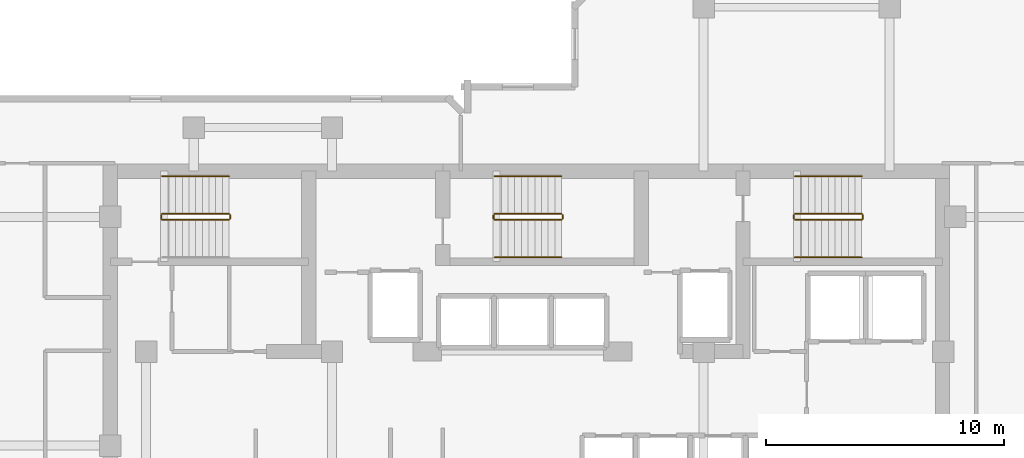
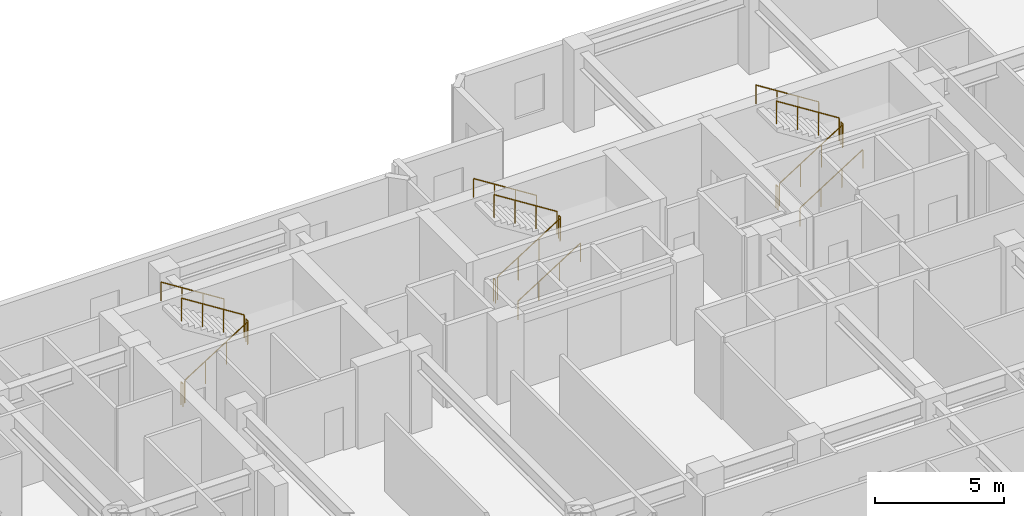
# One storey, part 11 of 11: 17 railings.
"""IFC4 building model written with IfcOpenShell, lengths in metres."""

import ifcopenshell
import ifcopenshell.guid

model = None  # the IFC model being written
_history = None  # IfcOwnerHistory: only IFC2X3 demands one
_inside = {}  # id of a spatial element -> (the spatial element, [elements in it])
_under = {}  # id of a project, library or spatial element -> (it, [spatial elements below it])
_declared = {}  # id of a project -> (the project, [libraries it declares])
_typed = {}  # id of a type object -> (the type object, [elements of that type])
_made_of = {}  # id of a material, layer set ... -> (it, [elements and type objects made of it])


def new_model(schema):
    """Start an empty IFC model of exactly this schema.

    Asked for "IFC4X3", IfcOpenShell would pick the latest addendum, in which some entities
    have other attributes; the version numbers below select the first issue.
    IFC2X3 requires an IfcOwnerHistory on every rooted entity: one is made here for all.
    """
    global model, _history
    if schema == "IFC4X3":
        model = ifcopenshell.file(schema_version=(4, 3, 0, 0))
    else:
        model = ifcopenshell.file(schema=schema)
    _inside.clear()
    _under.clear()
    _declared.clear()
    _typed.clear()
    _made_of.clear()
    _history = None
    if model.schema == "IFC2X3":
        org = make("IfcOrganization", Name="unknown")
        user = make(
            "IfcPersonAndOrganization",
            ThePerson=make("IfcPerson", FamilyName="unknown"),
            TheOrganization=org,
        )
        app = make(
            "IfcApplication",
            ApplicationDeveloper=org,
            Version="unknown",
            ApplicationFullName="unknown",
            ApplicationIdentifier="unknown",
        )
        _history = make(
            "IfcOwnerHistory",
            OwningUser=user,
            OwningApplication=app,
            ChangeAction="ADDED",
            CreationDate=0,
        )
    return model


def make(cls, **values):
    """One entity of the class cls with the attributes given. An attribute that is None is left unset."""
    return model.create_entity(
        cls, **{name: value for name, value in values.items() if value is not None}
    )


def rooted(cls, **values):
    """An entity with a GlobalId (a new one), such as an element, a storey or a relation."""
    return make(cls, GlobalId=ifcopenshell.guid.new(), OwnerHistory=_history, **values)


def si_unit(unit_type, name, prefix=None):
    """IfcSIUnit, for example si_unit("LENGTHUNIT", "METRE", prefix="MILLI")."""
    return make("IfcSIUnit", UnitType=unit_type, Prefix=prefix, Name=name)


def assignment(units):
    """IfcUnitAssignment: the units of a project."""
    return None if units is None else make("IfcUnitAssignment", Units=units)


def point(xyz):
    """IfcCartesianPoint."""
    return None if xyz is None else make("IfcCartesianPoint", Coordinates=xyz)


def direction(xyz):
    """IfcDirection."""
    return None if xyz is None else make("IfcDirection", DirectionRatios=xyz)


def frame(location, z_axis=None, x_axis=None):
    """IfcAxis2Placement3D, a coordinate frame: its origin and axes. An axis left out is left unset."""
    return make(
        "IfcAxis2Placement3D",
        Location=point(location),
        Axis=direction(z_axis),
        RefDirection=direction(x_axis),
    )


def frame_2d(location, x_axis=None):
    """IfcAxis2Placement2D, a coordinate frame in the plane: its origin and x axis."""
    return make(
        "IfcAxis2Placement2D", Location=point(location), RefDirection=direction(x_axis)
    )


def origin():
    """The frame at (0, 0, 0) with its axes left unset."""
    return frame((0.0, 0.0, 0.0))


def origin_2d():
    """The frame at (0, 0) in the plane with its x axis left unset."""
    return frame_2d((0.0, 0.0))


def place(relative_to, where):
    """IfcLocalPlacement: puts the frame where relative to a parent placement (None: the world)."""
    return make(
        "IfcLocalPlacement", PlacementRelTo=relative_to, RelativePlacement=where
    )


def context(
    kind, dimensions, precision=None, world=None, true_north=None, identifier=None
):
    """IfcGeometricRepresentationContext, for example the 3D "Model" context."""
    return make(
        "IfcGeometricRepresentationContext",
        ContextIdentifier=identifier,
        ContextType=kind,
        CoordinateSpaceDimension=dimensions,
        Precision=precision,
        WorldCoordinateSystem=world,
        TrueNorth=true_north,
    )


def subcontext(parent, identifier, kind, view, scale=None):
    """IfcGeometricRepresentationSubContext, for example "Body" below "Model"."""
    return make(
        "IfcGeometricRepresentationSubContext",
        ContextIdentifier=identifier,
        ContextType=kind,
        ParentContext=parent,
        TargetScale=scale,
        TargetView=view,
    )


def project(units=None, contexts=None):
    """IfcProject with its units and contexts."""
    return rooted(
        "IfcProject",
        Name="project",
        RepresentationContexts=contexts,
        UnitsInContext=assignment(units),
    )


def spatial(cls, under=None, at=None, **own):
    """A site, building, storey or space (cls), placed at a placement, below another one or the project."""
    s = rooted(cls, ObjectPlacement=at, **own)
    if under is not None:
        _under.setdefault(under.id(), (under, []))[1].append(s)
    return s


def profile(cls, at=None, kind="AREA", **sizes):
    """A parametric profile (cls). Its sizes go by their IFC names, for example OverallWidth=200.0."""
    return make(cls, ProfileType=kind, Position=at, **sizes)


def circle(**sizes):
    """IfcCircleProfileDef."""
    return profile("IfcCircleProfileDef", **sizes)


def extrude(swept, where, along, depth):
    """IfcExtrudedAreaSolid: the profile swept, set in the frame where, extruded along a direction by depth."""
    return make(
        "IfcExtrudedAreaSolid",
        SweptArea=swept,
        Position=where,
        ExtrudedDirection=direction(along),
        Depth=depth,
    )


def shape(context_of_items, identifier, shape_type, items):
    """IfcShapeRepresentation: the items that make up one representation, for example the "Body"."""
    return make(
        "IfcShapeRepresentation",
        ContextOfItems=context_of_items,
        RepresentationIdentifier=identifier,
        RepresentationType=shape_type,
        Items=items,
    )


def material(Name=None, Category=None):
    """IfcMaterial."""
    return make("IfcMaterial", Name=Name, Category=Category)


def made_of(thing, what):
    """Note that an element or type object is made of a material, layer set ...; save() writes the relation."""
    if what is not None:
        _made_of.setdefault(what.id(), (what, []))[1].append(thing)
    return thing


def type_object(cls, material=None, **own):
    """A type object (cls), such as IfcWallType, which elements share."""
    return made_of(rooted(cls, **own), material)


def element(
    cls,
    number,
    at=None,
    inside=None,
    cuts=None,
    type_object=None,
    material=None,
    context=None,
    identifier="Body",
    shape_type=None,
    held_by="IfcProductDefinitionShape",
    body=None,
    shapes=None,
    **own,
):
    """One element of the class cls, such as IfcWall. Its Tag is "e" and its number.

    at: its placement. inside: the storey or other place that contains it. cuts: it is an
    opening in that element (IfcRelVoidsElement). A single representation is given by context,
    identifier, shape_type and body (its items); several are given by shapes. held_by: the class
    of the entity that holds the representations. save() writes the other relations.
    """
    e = rooted(cls, Tag="e%d" % number, ObjectPlacement=at, **own)
    if body is not None:
        shapes = [shape(context, identifier, shape_type, body)]
    if shapes is not None:
        e.Representation = make(held_by, Representations=shapes)
    if inside is not None:
        _inside.setdefault(inside.id(), (inside, []))[1].append(e)
    if cuts is not None:
        rooted(
            "IfcRelVoidsElement", RelatingBuildingElement=cuts, RelatedOpeningElement=e
        )
    if type_object is not None:
        _typed.setdefault(type_object.id(), (type_object, []))[1].append(e)
    return made_of(e, material)


def aggregate(whole, parts):
    """IfcRelAggregates: a whole, such as a stair, and the parts it consists of."""
    return rooted("IfcRelAggregates", RelatingObject=whole, RelatedObjects=parts)


def save(model, path):
    """Write the relations noted so far, then the file.

    IfcRelAggregates (storeys below a building ...), IfcRelContainedInSpatialStructure (elements
    in a storey), IfcRelDefinesByType, IfcRelAssociatesMaterial and IfcRelDeclares: one each for
    every whole, place, type object, material and project.
    """
    for whole, parts in _under.values():
        aggregate(whole, parts)
    for where, things in _inside.values():
        rooted(
            "IfcRelContainedInSpatialStructure",
            RelatedElements=things,
            RelatingStructure=where,
        )
    for kind, things in _typed.values():
        rooted("IfcRelDefinesByType", RelatedObjects=things, RelatingType=kind)
    for what, things in _made_of.values():
        rooted("IfcRelAssociatesMaterial", RelatedObjects=things, RelatingMaterial=what)
    for by, libraries in _declared.values():
        rooted("IfcRelDeclares", RelatingContext=by, RelatedDefinitions=libraries)
    model.write(path)


model = new_model("IFC4")

# Units and contexts
model_context = context("Model", 3, precision=1e-05, world=origin(), true_north=direction((0.0, 1.0)))
body_context = subcontext(model_context, "Body", "Model", "MODEL_VIEW")
ifc_project = project(units=[si_unit("LENGTHUNIT", "METRE"), si_unit("AREAUNIT", "SQUARE_METRE"), si_unit("VOLUMEUNIT", "CUBIC_METRE"), si_unit("PLANEANGLEUNIT", "RADIAN"), si_unit("MASSUNIT", "GRAM", prefix="KILO")], contexts=[model_context])

# Site, building, storey
site_placement = place(None, origin())
site = spatial("IfcSite", under=ifc_project, at=site_placement, CompositionType="ELEMENT")
building_placement = place(site_placement, origin())
building = spatial("IfcBuilding", under=site, at=building_placement, Name="Kestravale Grand Hotel", CompositionType="ELEMENT")
storey_placement = place(building_placement, frame((0.0, 0.0, 200.699951171875)))
storey = spatial("IfcBuildingStorey", under=building, at=storey_placement, Name="L50", CompositionType="ELEMENT", Elevation=200.699951171875)

# Railings
ifc_material_1 = material(Name="Painted tubular steel stair well guard", Category="steel")
railing_type_1 = type_object("IfcRailingType", Name="RL-ST-GRD1100", PredefinedType="GUARDRAIL", material=ifc_material_1)
railing_1_placement = place(storey_placement, frame((24.080078125, 38.280029296875, 0.17724609375)))
element("IfcRailing", 1, at=railing_1_placement, inside=storey, type_object=railing_type_1, Name="L50 ST-1 stair guard 1", PredefinedType="GUARDRAIL", context=body_context, shape_type="SweptSolid", body=[
    extrude(circle(Radius=0.02392578125, at=origin_2d()), frame((0.0, 0.0, 1.076171875), z_axis=(0.844887892834, 0.0, 0.53494340686), x_axis=(0.0, 1.0, 0.0)), (0.0, 0.0, 1.0), 3.313720703125),
    extrude(circle(Radius=0.02099609375, at=origin_2d()), origin(), (0.0, 0.0, 1.0), 1.052001953125),
    extrude(circle(Radius=0.02099609375, at=origin_2d()), frame((0.933349609375, 0.0, 0.5908203125)), (0.0, 0.0, 1.0), 1.052001953125),
    extrude(circle(Radius=0.02099609375, at=origin_2d()), frame((1.866455078125, 0.0, 1.181884765625)), (0.0, 0.0, 1.0), 1.052001953125),
    extrude(circle(Radius=0.02099609375, at=origin_2d()), frame((2.7998046875, 0.0, 1.772705078125)), (0.0, 0.0, 1.0), 1.052001953125),
])
railing_2_placement = place(storey_placement, frame((26.929931640625, 38.330078125, 1.949951171875)))
element("IfcRailing", 2, at=railing_2_placement, inside=storey, type_object=railing_type_1, Name="L50 ST-1 stair guard 2", PredefinedType="GUARDRAIL", context=body_context, shape_type="SweptSolid", body=[
    extrude(circle(Radius=0.02392578125, at=origin_2d()), frame((0.0, 0.0, 1.076171875), z_axis=(0.0, 1.0, 0.0), x_axis=(-1.0, 0.0, 0.0)), (0.0, 0.0, 1.0), 0.14990234375),
    extrude(circle(Radius=0.02099609375, at=origin_2d()), origin(), (0.0, 0.0, 1.0), 1.052001953125),
    extrude(circle(Radius=0.02099609375, at=origin_2d()), frame((0.0, 0.14990234375, 0.0)), (0.0, 0.0, 1.0), 1.052001953125),
])
railing_3_placement = place(storey_placement, frame((26.8798828125, 38.530029296875, 2.12744140625)))
element("IfcRailing", 3, at=railing_3_placement, inside=storey, type_object=railing_type_1, Name="L50 ST-1 stair guard 3", PredefinedType="GUARDRAIL", context=body_context, shape_type="SweptSolid", body=[
    extrude(circle(Radius=0.02392578125, at=origin_2d()), frame((0.0, 0.0, 1.076171875), z_axis=(-0.844887892834, 0.0, 0.53494340686), x_axis=(0.0, -1.0, 0.0)), (0.0, 0.0, 1.0), 3.313720703125),
    extrude(circle(Radius=0.02099609375, at=origin_2d()), origin(), (0.0, 0.0, 1.0), 1.052001953125),
    extrude(circle(Radius=0.02099609375, at=origin_2d()), frame((-0.933349609375, 0.0, 0.5908203125)), (0.0, 0.0, 1.0), 1.052001953125),
    extrude(circle(Radius=0.02099609375, at=origin_2d()), frame((-1.866455078125, 0.0, 1.181884765625)), (0.0, 0.0, 1.0), 1.052001953125),
    extrude(circle(Radius=0.02099609375, at=origin_2d()), frame((-2.7998046875, 0.0, 1.772705078125)), (0.0, 0.0, 1.0), 1.052001953125),
])
railing_4_placement = place(storey_placement, frame((24.030029296875, 38.330078125, 0.0)))
element("IfcRailing", 4, at=railing_4_placement, inside=storey, type_object=railing_type_1, Name="L50 ST-1 stair guard 4", PredefinedType="GUARDRAIL", context=body_context, shape_type="SweptSolid", body=[
    extrude(circle(Radius=0.02392578125, at=origin_2d()), frame((0.0, 0.0, 1.076171875), z_axis=(0.0, 1.0, 0.0), x_axis=(-1.0, 0.0, 0.0)), (0.0, 0.0, 1.0), 0.14990234375),
    extrude(circle(Radius=0.02099609375, at=origin_2d()), origin(), (0.0, 0.0, 1.0), 1.052001953125),
    extrude(circle(Radius=0.02099609375, at=origin_2d()), frame((0.0, 0.14990234375, 0.0)), (0.0, 0.0, 1.0), 1.052001953125),
])
railing_5_placement = place(storey_placement, frame((38.030029296875, 38.280029296875, 0.17724609375)))
element("IfcRailing", 5, at=railing_5_placement, inside=storey, type_object=railing_type_1, Name="L50 ST-2 stair guard 1", PredefinedType="GUARDRAIL", context=body_context, shape_type="SweptSolid", body=[
    extrude(circle(Radius=0.02392578125, at=origin_2d()), frame((0.0, 0.0, 1.076171875), z_axis=(0.844908973607, 0.0, 0.534910110503), x_axis=(0.0, 1.0, 0.0)), (0.0, 0.0, 1.0), 3.31396484375),
    extrude(circle(Radius=0.02099609375, at=origin_2d()), origin(), (0.0, 0.0, 1.0), 1.052001953125),
    extrude(circle(Radius=0.02099609375, at=origin_2d()), frame((0.933349609375, 0.0, 0.5908203125)), (0.0, 0.0, 1.0), 1.052001953125),
    extrude(circle(Radius=0.02099609375, at=origin_2d()), frame((1.86669921875, 0.0, 1.181884765625)), (0.0, 0.0, 1.0), 1.052001953125),
    extrude(circle(Radius=0.02099609375, at=origin_2d()), frame((2.800048828125, 0.0, 1.772705078125)), (0.0, 0.0, 1.0), 1.052001953125),
])
railing_6_placement = place(storey_placement, frame((40.8798828125, 38.330078125, 1.949951171875)))
element("IfcRailing", 6, at=railing_6_placement, inside=storey, type_object=railing_type_1, Name="L50 ST-2 stair guard 2", PredefinedType="GUARDRAIL", context=body_context, shape_type="SweptSolid", body=[
    extrude(circle(Radius=0.02392578125, at=origin_2d()), frame((0.0, 0.0, 1.076171875), z_axis=(0.0, 1.0, 0.0), x_axis=(-1.0, 0.0, 0.0)), (0.0, 0.0, 1.0), 0.14990234375),
    extrude(circle(Radius=0.02099609375, at=origin_2d()), origin(), (0.0, 0.0, 1.0), 1.052001953125),
    extrude(circle(Radius=0.02099609375, at=origin_2d()), frame((0.0, 0.14990234375, 0.0)), (0.0, 0.0, 1.0), 1.052001953125),
])
railing_7_placement = place(storey_placement, frame((40.830078125, 38.530029296875, 2.12744140625)))
element("IfcRailing", 7, at=railing_7_placement, inside=storey, type_object=railing_type_1, Name="L50 ST-2 stair guard 3", PredefinedType="GUARDRAIL", context=body_context, shape_type="SweptSolid", body=[
    extrude(circle(Radius=0.02392578125, at=origin_2d()), frame((0.0, 0.0, 1.076171875), z_axis=(-0.844908973607, 0.0, 0.534910110503), x_axis=(0.0, -1.0, 0.0)), (0.0, 0.0, 1.0), 3.31396484375),
    extrude(circle(Radius=0.02099609375, at=origin_2d()), origin(), (0.0, 0.0, 1.0), 1.052001953125),
    extrude(circle(Radius=0.02099609375, at=origin_2d()), frame((-0.933349609375, 0.0, 0.5908203125)), (0.0, 0.0, 1.0), 1.052001953125),
    extrude(circle(Radius=0.02099609375, at=origin_2d()), frame((-1.86669921875, 0.0, 1.181884765625)), (0.0, 0.0, 1.0), 1.052001953125),
    extrude(circle(Radius=0.02099609375, at=origin_2d()), frame((-2.800048828125, 0.0, 1.772705078125)), (0.0, 0.0, 1.0), 1.052001953125),
])
railing_8_placement = place(storey_placement, frame((37.97998046875, 38.330078125, 0.0)))
element("IfcRailing", 8, at=railing_8_placement, inside=storey, type_object=railing_type_1, Name="L50 ST-2 stair guard 4", PredefinedType="GUARDRAIL", context=body_context, shape_type="SweptSolid", body=[
    extrude(circle(Radius=0.02392578125, at=origin_2d()), frame((0.0, 0.0, 1.076171875), z_axis=(0.0, 1.0, 0.0), x_axis=(-1.0, 0.0, 0.0)), (0.0, 0.0, 1.0), 0.14990234375),
    extrude(circle(Radius=0.02099609375, at=origin_2d()), origin(), (0.0, 0.0, 1.0), 1.052001953125),
    extrude(circle(Radius=0.02099609375, at=origin_2d()), frame((0.0, 0.14990234375, 0.0)), (0.0, 0.0, 1.0), 1.052001953125),
])
railing_9_placement = place(storey_placement, frame((50.6298828125, 38.280029296875, 0.17724609375)))
element("IfcRailing", 9, at=railing_9_placement, inside=storey, type_object=railing_type_1, Name="L50 ST-3 stair guard 1", PredefinedType="GUARDRAIL", context=body_context, shape_type="SweptSolid", body=[
    extrude(circle(Radius=0.02392578125, at=origin_2d()), frame((0.0, 0.0, 1.076171875), z_axis=(0.844908973607, 0.0, 0.534910110503), x_axis=(0.0, 1.0, 0.0)), (0.0, 0.0, 1.0), 3.31396484375),
    extrude(circle(Radius=0.02099609375, at=origin_2d()), origin(), (0.0, 0.0, 1.0), 1.052001953125),
    extrude(circle(Radius=0.02099609375, at=origin_2d()), frame((0.933349609375, 0.0, 0.5908203125)), (0.0, 0.0, 1.0), 1.052001953125),
    extrude(circle(Radius=0.02099609375, at=origin_2d()), frame((1.86669921875, 0.0, 1.181884765625)), (0.0, 0.0, 1.0), 1.052001953125),
    extrude(circle(Radius=0.02099609375, at=origin_2d()), frame((2.800048828125, 0.0, 1.772705078125)), (0.0, 0.0, 1.0), 1.052001953125),
])
railing_10_placement = place(storey_placement, frame((53.47998046875, 38.330078125, 1.949951171875)))
element("IfcRailing", 10, at=railing_10_placement, inside=storey, type_object=railing_type_1, Name="L50 ST-3 stair guard 2", PredefinedType="GUARDRAIL", context=body_context, shape_type="SweptSolid", body=[
    extrude(circle(Radius=0.02392578125, at=origin_2d()), frame((0.0, 0.0, 1.076171875), z_axis=(0.0, 1.0, 0.0), x_axis=(-1.0, 0.0, 0.0)), (0.0, 0.0, 1.0), 0.14990234375),
    extrude(circle(Radius=0.02099609375, at=origin_2d()), origin(), (0.0, 0.0, 1.0), 1.052001953125),
    extrude(circle(Radius=0.02099609375, at=origin_2d()), frame((0.0, 0.14990234375, 0.0)), (0.0, 0.0, 1.0), 1.052001953125),
])
railing_11_placement = place(storey_placement, frame((53.429931640625, 38.530029296875, 2.12744140625)))
element("IfcRailing", 11, at=railing_11_placement, inside=storey, type_object=railing_type_1, Name="L50 ST-3 stair guard 3", PredefinedType="GUARDRAIL", context=body_context, shape_type="SweptSolid", body=[
    extrude(circle(Radius=0.02392578125, at=origin_2d()), frame((0.0, 0.0, 1.076171875), z_axis=(-0.844908973607, 0.0, 0.534910110503), x_axis=(0.0, -1.0, 0.0)), (0.0, 0.0, 1.0), 3.31396484375),
    extrude(circle(Radius=0.02099609375, at=origin_2d()), origin(), (0.0, 0.0, 1.0), 1.052001953125),
    extrude(circle(Radius=0.02099609375, at=origin_2d()), frame((-0.933349609375, 0.0, 0.5908203125)), (0.0, 0.0, 1.0), 1.052001953125),
    extrude(circle(Radius=0.02099609375, at=origin_2d()), frame((-1.86669921875, 0.0, 1.181884765625)), (0.0, 0.0, 1.0), 1.052001953125),
    extrude(circle(Radius=0.02099609375, at=origin_2d()), frame((-2.800048828125, 0.0, 1.772705078125)), (0.0, 0.0, 1.0), 1.052001953125),
])
railing_12_placement = place(storey_placement, frame((50.580078125, 38.330078125, 0.0)))
element("IfcRailing", 12, at=railing_12_placement, inside=storey, type_object=railing_type_1, Name="L50 ST-3 stair guard 4", PredefinedType="GUARDRAIL", context=body_context, shape_type="SweptSolid", body=[
    extrude(circle(Radius=0.02392578125, at=origin_2d()), frame((0.0, 0.0, 1.076171875), z_axis=(0.0, 1.0, 0.0), x_axis=(-1.0, 0.0, 0.0)), (0.0, 0.0, 1.0), 0.14990234375),
    extrude(circle(Radius=0.02099609375, at=origin_2d()), origin(), (0.0, 0.0, 1.0), 1.052001953125),
    extrude(circle(Radius=0.02099609375, at=origin_2d()), frame((0.0, 0.14990234375, 0.0)), (0.0, 0.0, 1.0), 1.052001953125),
])
ifc_material_2 = material(Name="Brushed stainless steel wall handrail", Category="steel")
railing_type_2 = type_object("IfcRailingType", Name="RL-ST-HND900", PredefinedType="HANDRAIL", material=ifc_material_2)
railing_13_placement = place(storey_placement, frame((26.8798828125, 40.110107421875, 2.12744140625)))
element("IfcRailing", 13, at=railing_13_placement, inside=storey, type_object=railing_type_2, Name="L50 ST-1 stair handrail 2", PredefinedType="HANDRAIL", context=body_context, shape_type="SweptSolid", body=[
    extrude(circle(Radius=0.02392578125, at=origin_2d()), frame((0.0, 0.0, 0.8759765625), z_axis=(-0.844887892834, 0.0, 0.53494340686), x_axis=(0.0, -1.0, 0.0)), (0.0, 0.0, 1.0), 3.313720703125),
    extrude(circle(Radius=0.02099609375, at=origin_2d()), origin(), (0.0, 0.0, 1.0), 0.851806640625),
    extrude(circle(Radius=0.02099609375, at=origin_2d()), frame((-0.933349609375, 0.0, 0.5908203125)), (0.0, 0.0, 1.0), 0.851806640625),
    extrude(circle(Radius=0.02099609375, at=origin_2d()), frame((-1.866455078125, 0.0, 1.181884765625)), (0.0, 0.0, 1.0), 0.851806640625),
    extrude(circle(Radius=0.02099609375, at=origin_2d()), frame((-2.7998046875, 0.0, 1.772705078125)), (0.0, 0.0, 1.0), 0.851806640625),
])
railing_14_placement = place(storey_placement, frame((38.030029296875, 36.699951171875, 0.17724609375)))
element("IfcRailing", 14, at=railing_14_placement, inside=storey, type_object=railing_type_2, Name="L50 ST-2 stair handrail 1", PredefinedType="HANDRAIL", context=body_context, shape_type="SweptSolid", body=[
    extrude(circle(Radius=0.02392578125, at=origin_2d()), frame((0.0, 0.0, 0.8759765625), z_axis=(0.844908973607, 0.0, 0.534910110503), x_axis=(0.0, 1.0, 0.0)), (0.0, 0.0, 1.0), 3.31396484375),
    extrude(circle(Radius=0.02099609375, at=origin_2d()), origin(), (0.0, 0.0, 1.0), 0.851806640625),
    extrude(circle(Radius=0.02099609375, at=origin_2d()), frame((0.933349609375, 0.0, 0.5908203125)), (0.0, 0.0, 1.0), 0.851806640625),
    extrude(circle(Radius=0.02099609375, at=origin_2d()), frame((1.86669921875, 0.0, 1.181884765625)), (0.0, 0.0, 1.0), 0.851806640625),
    extrude(circle(Radius=0.02099609375, at=origin_2d()), frame((2.800048828125, 0.0, 1.772705078125)), (0.0, 0.0, 1.0), 0.851806640625),
])
railing_15_placement = place(storey_placement, frame((40.830078125, 40.110107421875, 2.12744140625)))
element("IfcRailing", 15, at=railing_15_placement, inside=storey, type_object=railing_type_2, Name="L50 ST-2 stair handrail 2", PredefinedType="HANDRAIL", context=body_context, shape_type="SweptSolid", body=[
    extrude(circle(Radius=0.02392578125, at=origin_2d()), frame((0.0, 0.0, 0.8759765625), z_axis=(-0.844908973607, 0.0, 0.534910110503), x_axis=(0.0, -1.0, 0.0)), (0.0, 0.0, 1.0), 3.31396484375),
    extrude(circle(Radius=0.02099609375, at=origin_2d()), origin(), (0.0, 0.0, 1.0), 0.851806640625),
    extrude(circle(Radius=0.02099609375, at=origin_2d()), frame((-0.933349609375, 0.0, 0.5908203125)), (0.0, 0.0, 1.0), 0.851806640625),
    extrude(circle(Radius=0.02099609375, at=origin_2d()), frame((-1.86669921875, 0.0, 1.181884765625)), (0.0, 0.0, 1.0), 0.851806640625),
    extrude(circle(Radius=0.02099609375, at=origin_2d()), frame((-2.800048828125, 0.0, 1.772705078125)), (0.0, 0.0, 1.0), 0.851806640625),
])
railing_16_placement = place(storey_placement, frame((50.6298828125, 36.699951171875, 0.17724609375)))
element("IfcRailing", 16, at=railing_16_placement, inside=storey, type_object=railing_type_2, Name="L50 ST-3 stair handrail 1", PredefinedType="HANDRAIL", context=body_context, shape_type="SweptSolid", body=[
    extrude(circle(Radius=0.02392578125, at=origin_2d()), frame((0.0, 0.0, 0.8759765625), z_axis=(0.844908973607, 0.0, 0.534910110503), x_axis=(0.0, 1.0, 0.0)), (0.0, 0.0, 1.0), 3.31396484375),
    extrude(circle(Radius=0.02099609375, at=origin_2d()), origin(), (0.0, 0.0, 1.0), 0.851806640625),
    extrude(circle(Radius=0.02099609375, at=origin_2d()), frame((0.933349609375, 0.0, 0.5908203125)), (0.0, 0.0, 1.0), 0.851806640625),
    extrude(circle(Radius=0.02099609375, at=origin_2d()), frame((1.86669921875, 0.0, 1.181884765625)), (0.0, 0.0, 1.0), 0.851806640625),
    extrude(circle(Radius=0.02099609375, at=origin_2d()), frame((2.800048828125, 0.0, 1.772705078125)), (0.0, 0.0, 1.0), 0.851806640625),
])
railing_17_placement = place(storey_placement, frame((53.429931640625, 40.110107421875, 2.12744140625)))
element("IfcRailing", 17, at=railing_17_placement, inside=storey, type_object=railing_type_2, Name="L50 ST-3 stair handrail 2", PredefinedType="HANDRAIL", context=body_context, shape_type="SweptSolid", body=[
    extrude(circle(Radius=0.02392578125, at=origin_2d()), frame((0.0, 0.0, 0.8759765625), z_axis=(-0.844908973607, 0.0, 0.534910110503), x_axis=(0.0, -1.0, 0.0)), (0.0, 0.0, 1.0), 3.31396484375),
    extrude(circle(Radius=0.02099609375, at=origin_2d()), origin(), (0.0, 0.0, 1.0), 0.851806640625),
    extrude(circle(Radius=0.02099609375, at=origin_2d()), frame((-0.933349609375, 0.0, 0.5908203125)), (0.0, 0.0, 1.0), 0.851806640625),
    extrude(circle(Radius=0.02099609375, at=origin_2d()), frame((-1.86669921875, 0.0, 1.181884765625)), (0.0, 0.0, 1.0), 0.851806640625),
    extrude(circle(Radius=0.02099609375, at=origin_2d()), frame((-2.800048828125, 0.0, 1.772705078125)), (0.0, 0.0, 1.0), 0.851806640625),
])

save(model, "model.ifc")
